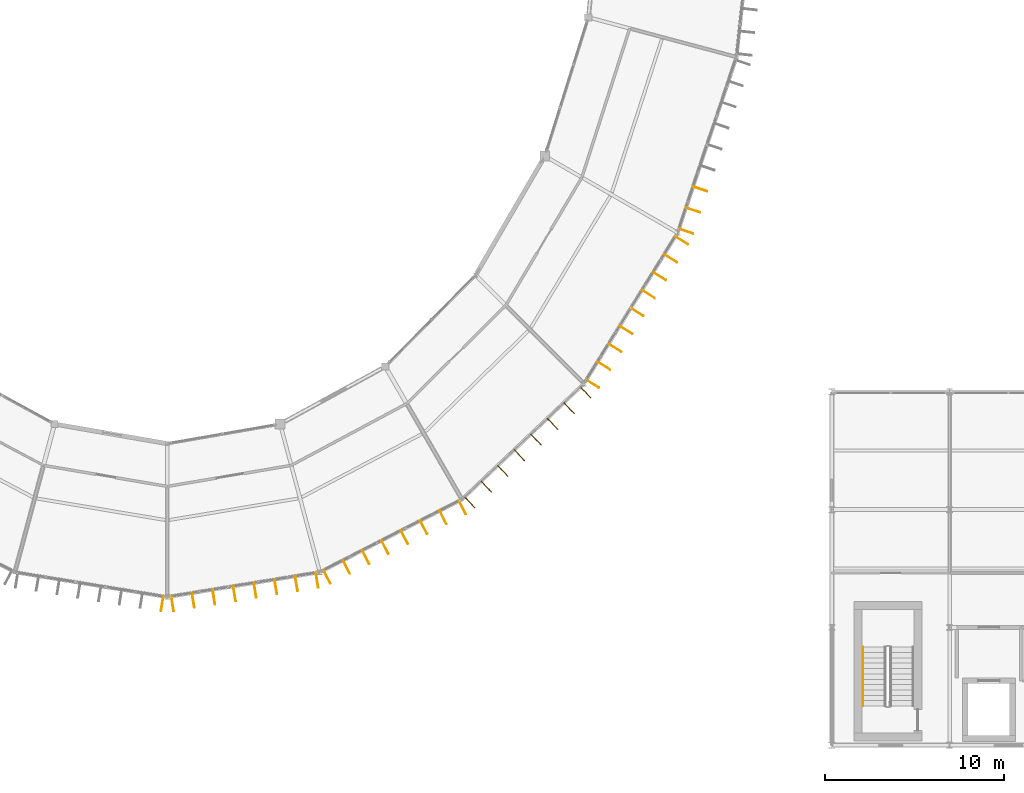
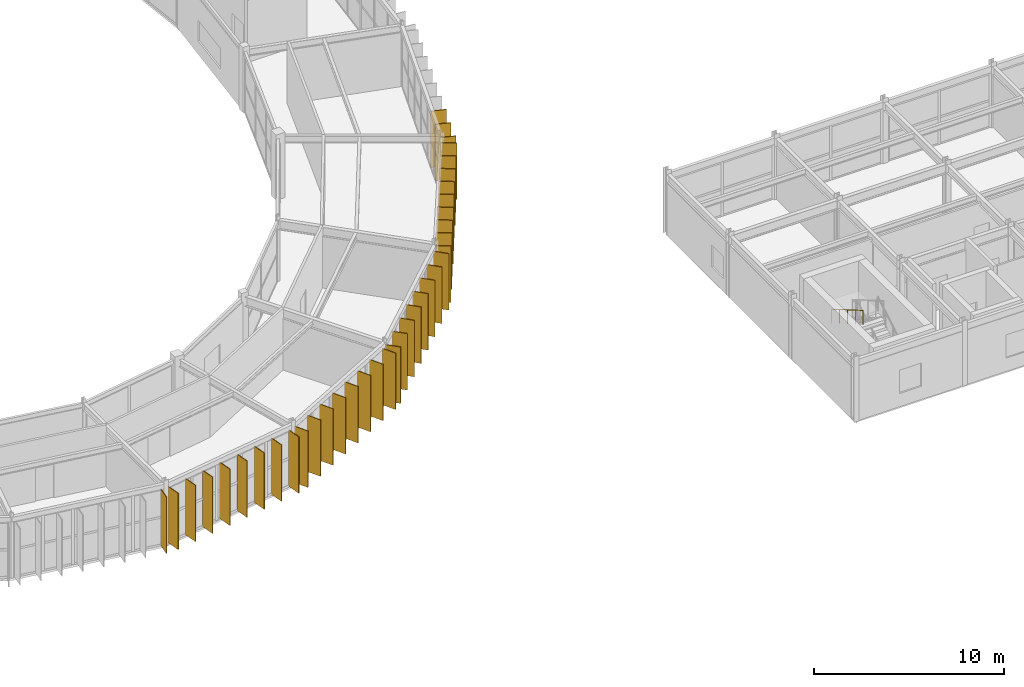
# One storey, part 127 of 134: 37 shading devices, 1 railing.
"""IFC4 building model written with IfcOpenShell, lengths in metres."""

from ifc_helpers import new_model, si_unit, direction, frame, origin, origin_2d, place, context, subcontext, project, spatial, rectangle, circle, extrude, material, layer, layer_set, type_object, element, save


model = new_model("IFC4")

# Units and contexts
model_context = context("Model", 3, precision=1e-05, world=origin(), true_north=direction((0.0, 1.0)))
body_context = subcontext(model_context, "Body", "Model", "MODEL_VIEW")
ifc_project = project(units=[si_unit("LENGTHUNIT", "METRE"), si_unit("AREAUNIT", "SQUARE_METRE"), si_unit("VOLUMEUNIT", "CUBIC_METRE"), si_unit("PLANEANGLEUNIT", "RADIAN"), si_unit("MASSUNIT", "GRAM", prefix="KILO")], contexts=[model_context])

# Site, building, storey
site_placement = place(None, origin())
site = spatial("IfcSite", under=ifc_project, at=site_placement, CompositionType="ELEMENT")
building_placement = place(site_placement, origin())
building = spatial("IfcBuilding", under=site, at=building_placement, Name="Karori Crest Natural Sciences Institute", CompositionType="ELEMENT")
storey_placement = place(building_placement, frame((0.0, 0.0, 21.699951171875)))
storey = spatial("IfcBuildingStorey", under=building, at=storey_placement, Name="L05", CompositionType="ELEMENT", Elevation=21.699951171875)

# Railing
ifc_material_1 = material(Name="Stainless steel 316 tubular handrail", Category="steel")
railing_type = type_object("IfcRailingType", Name="RLT-HND", PredefinedType="HANDRAIL", material=ifc_material_1)
railing_placement = place(storey_placement, frame((105.35009765625, 6.300048828125, 2.275146484375)))
element("IfcRailing", 1, at=railing_placement, inside=storey, type_object=railing_type, Name="Stair handrail RL-0134", PredefinedType="HANDRAIL", context=body_context, shape_type="SweptSolid", body=[
    extrude(circle(Radius=0.02392578125, at=origin_2d()), frame((0.0, 0.0, 0.90087890625), z_axis=(0.0, -0.863804395585, 0.503827317807), x_axis=(1.0, 0.0, 0.0)), (0.0, 0.0, 1.0), 3.8203125),
    extrude(circle(Radius=0.02099609375, at=origin_2d()), origin(), (0.0, 0.0, 1.0), 0.876953125),
    extrude(circle(Radius=0.02099609375, at=origin_2d()), frame((0.0, -0.824951171875, 0.481201171875)), (0.0, 0.0, 1.0), 0.876953125),
    extrude(circle(Radius=0.02099609375, at=origin_2d()), frame((0.0, -1.64990234375, 0.96240234375)), (0.0, 0.0, 1.0), 0.876953125),
    extrude(circle(Radius=0.02099609375, at=origin_2d()), frame((0.0, -2.47509765625, 1.443603515625)), (0.0, 0.0, 1.0), 0.876953125),
    extrude(circle(Radius=0.02099609375, at=origin_2d()), frame((0.0, -3.300048828125, 1.9248046875)), (0.0, 0.0, 1.0), 0.876953125),
])

# Shading devices
ifc_material_2 = material(Name="Anodised architectural aluminium 6063-T6", Category="aluminium")
ifc_layer = layer(ifc_material_2, 0.044921875, Name="Anodised architectural aluminium 6063-T6")
ifc_layer_set = layer_set([ifc_layer], Name="Anodised architectural aluminium 6063-T6")
shading_device_type = type_object("IfcShadingDeviceType", Name="SDT-FIN", PredefinedType="USERDEFINED", material=ifc_layer_set)
for number, where, z_axis, x_axis, name in (
    (2, (66.109375, 8.73193359375, 0.0), (0.0, 0.0, 1.0), (-0.160654710652, -0.987010670634, 0.0), "Vertical solar fin FN-0962"),
    (3, (74.783203125, 10.049072265625, 0.0), (0.0, 0.0, 1.0), (0.160649542674, -0.987011511807, 0.0), "Vertical solar fin FN-0970"),
    (4, (73.626953125, 9.86083984375, 0.0), (0.0, 0.0, 1.0), (0.160649542674, -0.987011511807, 0.0), "Vertical solar fin FN-0971"),
    (5, (72.470947265625, 9.672607421875, 0.0), (0.0, 0.0, 1.0), (0.160649542674, -0.987011511807, 0.0), "Vertical solar fin FN-0972"),
    (6, (71.31494140625, 9.484619140625, 0.0), (0.0, 0.0, 1.0), (0.160649542674, -0.987011511807, 0.0), "Vertical solar fin FN-0973"),
    (7, (70.15869140625, 9.29638671875, 0.0), (0.0, 0.0, 1.0), (0.160649542674, -0.987011511807, 0.0), "Vertical solar fin FN-0974"),
    (8, (69.002685546875, 9.108154296875, 0.0), (0.0, 0.0, 1.0), (0.160649542674, -0.987011511807, 0.0), "Vertical solar fin FN-0975"),
    (9, (67.8466796875, 8.920166015625, 0.0), (0.0, 0.0, 1.0), (0.160649542674, -0.987011511807, 0.0), "Vertical solar fin FN-0976"),
    (10, (66.690673828125, 8.73193359375, 0.0), (0.0, 0.0, 1.0), (0.160649542674, -0.987011511807, 0.0), "Vertical solar fin FN-0977"),
    (11, (82.922607421875, 14.1171875, 0.0), (0.0, 0.0, 1.0), (0.455829213737, -0.890067260326, 0.0), "Vertical solar fin FN-0978"),
    (12, (81.839599609375, 13.5625, 0.0), (0.0, 0.0, 1.0), (0.455829213737, -0.890067260326, 0.0), "Vertical solar fin FN-0979"),
    (13, (80.7568359375, 13.008056640625, 0.0), (0.0, 0.0, 1.0), (0.455829213737, -0.890067260326, 0.0), "Vertical solar fin FN-0980"),
    (14, (79.673828125, 12.453369140625, 0.0), (0.0, 0.0, 1.0), (0.455829213737, -0.890067260326, 0.0), "Vertical solar fin FN-0981"),
    (15, (78.5908203125, 11.898681640625, 0.0), (0.0, 0.0, 1.0), (0.455829213737, -0.890067260326, 0.0), "Vertical solar fin FN-0982"),
    (16, (77.508056640625, 11.34423828125, 0.0), (0.0, 0.0, 1.0), (0.455829213737, -0.890067260326, 0.0), "Vertical solar fin FN-0983"),
    (17, (76.425048828125, 10.78955078125, 0.0), (0.0, 0.0, 1.0), (0.455829213737, -0.890067260326, 0.0), "Vertical solar fin FN-0984"),
    (18, (75.342041015625, 10.235107421875, 0.0), (0.0, 0.0, 1.0), (0.455829213737, -0.890067260326, 0.0), "Vertical solar fin FN-0985"),
    (19, (89.817626953125, 20.563720703125, 0.0), (0.0, 0.0, 1.0), (0.688250755242, -0.725472878824, 0.0), "Vertical solar fin FN-0986"),
    (20, (88.890869140625, 19.6845703125, 0.0), (0.0, 0.0, 1.0), (0.688250755242, -0.725472878824, 0.0), "Vertical solar fin FN-0987"),
    (21, (87.964111328125, 18.805419921875, 0.0), (0.0, 0.0, 1.0), (0.688250755242, -0.725472878824, 0.0), "Vertical solar fin FN-0988"),
    (22, (87.037353515625, 17.926025390625, 0.0), (0.0, 0.0, 1.0), (0.688250755242, -0.725472878824, 0.0), "Vertical solar fin FN-0989"),
    (23, (86.110595703125, 17.046875, 0.0), (0.0, 0.0, 1.0), (0.688250755242, -0.725472878824, 0.0), "Vertical solar fin FN-0990"),
    (24, (85.183837890625, 16.16748046875, 0.0), (0.0, 0.0, 1.0), (0.688250755242, -0.725472878824, 0.0), "Vertical solar fin FN-0991"),
    (25, (84.257080078125, 15.288330078125, 0.0), (0.0, 0.0, 1.0), (0.688250755242, -0.725472878824, 0.0), "Vertical solar fin FN-0992"),
    (26, (83.330078125, 14.4091796875, 0.0), (0.0, 0.0, 1.0), (0.688250755242, -0.725472878824, 0.0), "Vertical solar fin FN-0993"),
    (27, (95.196533203125, 29.073486328125, 0.0), (0.0, 0.0, 1.0), (0.849664524961, -0.527323615081, 0.0), "Vertical solar fin FN-0994"),
    (28, (94.573974609375, 28.0703125, 0.0), (0.0, 0.0, 1.0), (0.849664524961, -0.527323615081, 0.0), "Vertical solar fin FN-0995"),
    (29, (93.951416015625, 27.06689453125, 0.0), (0.0, 0.0, 1.0), (0.849664524961, -0.527323615081, 0.0), "Vertical solar fin FN-0996"),
    (30, (93.32861328125, 26.063720703125, 0.0), (0.0, 0.0, 1.0), (0.849664524961, -0.527323615081, 0.0), "Vertical solar fin FN-0997"),
    (31, (92.705810546875, 25.060302734375, 0.0), (0.0, 0.0, 1.0), (0.849664524961, -0.527323615081, 0.0), "Vertical solar fin FN-0998"),
    (32, (92.083251953125, 24.056884765625, 0.0), (0.0, 0.0, 1.0), (0.849664524961, -0.527323615081, 0.0), "Vertical solar fin FN-0999"),
    (33, (91.460693359375, 23.0537109375, 0.0), (0.0, 0.0, 1.0), (0.849664524961, -0.527323615081, 0.0), "Vertical solar fin FN-1000"),
    (34, (90.837890625, 22.05029296875, 0.0), (0.0, 0.0, 1.0), (0.849664524961, -0.527323615081, 0.0), "Vertical solar fin FN-1001"),
    (35, (90.215087890625, 21.047119140625, 0.0), (0.0, 0.0, 1.0), (0.849664524961, -0.527323615081, 0.0), "Vertical solar fin FN-1002"),
    (36, (96.232421875, 31.951416015625, 0.0), (0.0, 0.0, 1.0), (0.948197867933, -0.317680347595, 0.0), "Vertical solar fin FN-1009"),
    (37, (95.8369140625, 30.7705078125, 0.0), (0.0, 0.0, 1.0), (0.948197867933, -0.317680347595, 0.0), "Vertical solar fin FN-1010"),
    (38, (95.441162109375, 29.589599609375, 0.0), (0.0, 0.0, 1.0), (0.948197867933, -0.317680347595, 0.0), "Vertical solar fin FN-1011"),
):
    element("IfcShadingDevice", number, at=place(storey_placement, frame(where, z_axis=z_axis, x_axis=x_axis)), inside=storey, type_object=shading_device_type, Name=name, ObjectType="SOLAR_FIN", PredefinedType="USERDEFINED", context=body_context, shape_type="SweptSolid", body=[
        extrude(rectangle(XDim=0.85009765625, YDim=0.044921875, at=origin_2d()), origin(), (0.0, 0.0, 1.0), 3.625),
    ])

save(model, "model.ifc")
